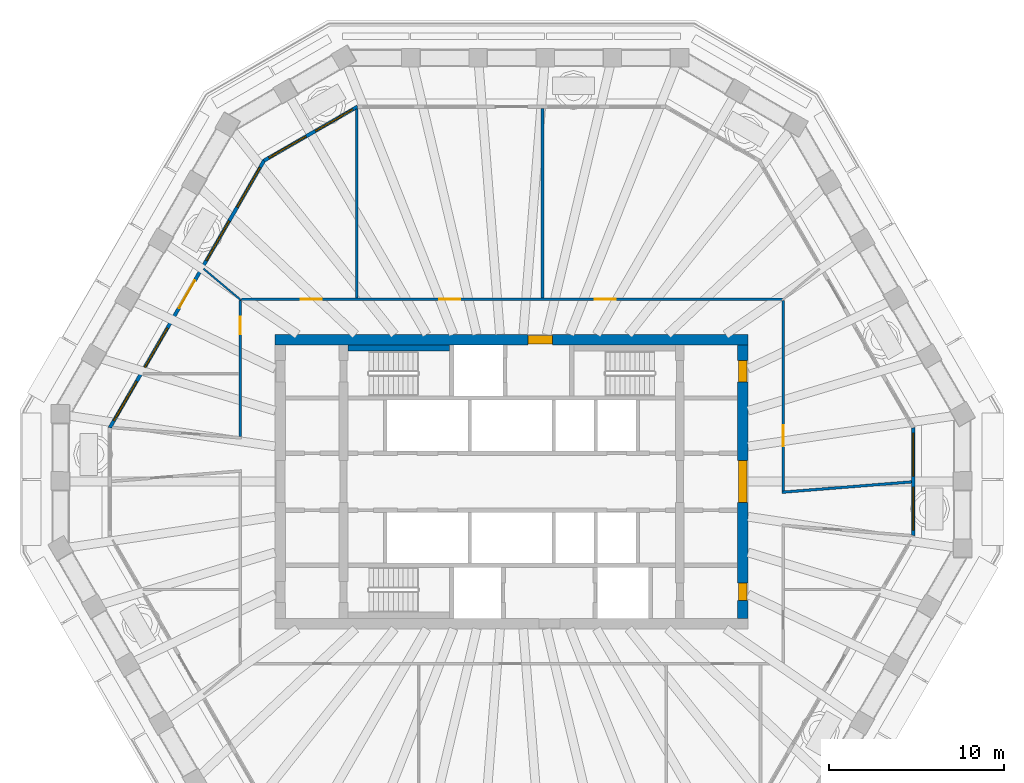
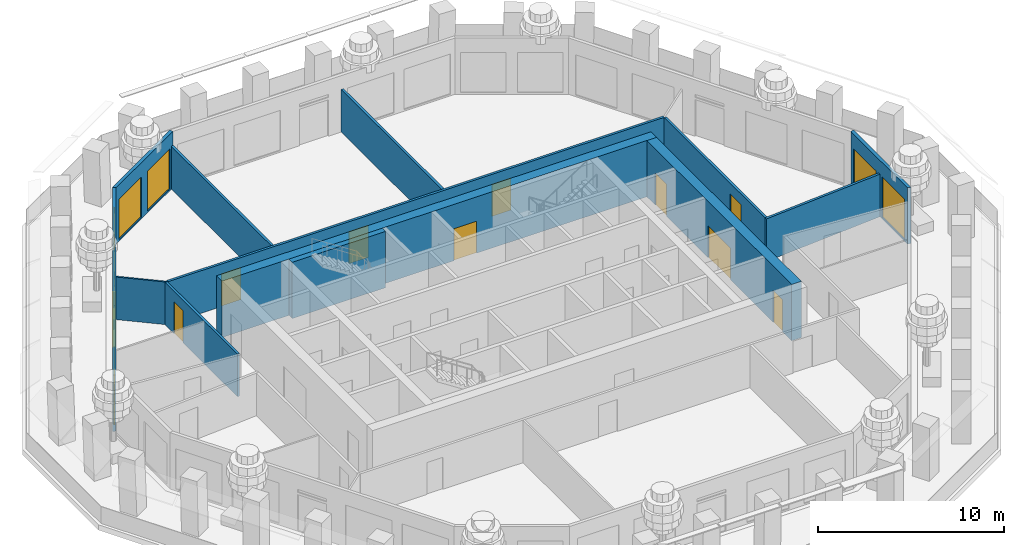
# One storey, part 6 of 12: 13 walls, 10 doors, 9 windows, 19 openings.
"""IFC4 building model written with IfcOpenShell, lengths in metres."""

from ifc_helpers import new_model, si_unit, direction, frame, frame_2d, origin, place, context, subcontext, project, spatial, polyline, rectangle, outline, extrude, material, layer, layer_set, type_object, element, fill, save


model = new_model("IFC4")

# Units and contexts
model_context = context("Model", 3, precision=1e-05, world=origin(), true_north=direction((0.0, 1.0)))
body_context = subcontext(model_context, "Body", "Model", "MODEL_VIEW")
ifc_project = project(units=[si_unit("LENGTHUNIT", "METRE"), si_unit("AREAUNIT", "SQUARE_METRE"), si_unit("VOLUMEUNIT", "CUBIC_METRE"), si_unit("PLANEANGLEUNIT", "RADIAN"), si_unit("MASSUNIT", "GRAM", prefix="KILO")], contexts=[model_context])

# Site, building, storey
site_placement = place(None, origin())
site = spatial("IfcSite", under=ifc_project, at=site_placement, CompositionType="ELEMENT")
building_placement = place(site_placement, origin())
building = spatial("IfcBuilding", under=site, at=building_placement, Name="Frailejon Research Tower", CompositionType="ELEMENT")
storey_placement = place(building_placement, frame((0.0, 0.0, 211.39990234375)))
storey = spatial("IfcBuildingStorey", under=building, at=storey_placement, Name="L45", CompositionType="ELEMENT", Elevation=211.39990234375)

# Wall, opening, door
ifc_material_1 = material(Name="Concrete C60/75", Category="concrete")
ifc_layer_1 = layer(ifc_material_1, 0.60009765625)
ifc_layer_set_1 = layer_set([ifc_layer_1], Name="Core shear wall 600 C60/75")
wall_type_1 = type_object("IfcWallType", Name="Core shear wall 600 C60/75", PredefinedType="SHEAR", material=ifc_layer_set_1)
wall_1_placement = place(storey_placement, frame((-13.5, 8.10009765625, 0.0), z_axis=(0.0, 0.0, 1.0), x_axis=(1.0, 0.0, 0.0)))
wall_1 = element("IfcWall", 1, at=wall_1_placement, inside=storey, type_object=wall_type_1, Name="Core shear wall", PredefinedType="SHEAR", context=body_context, shape_type="SweptSolid", body=[
    extrude(rectangle(XDim=27.0, YDim=0.60009765625, at=frame_2d((13.5, 0.0))), origin(), (0.0, 0.0, 1.0), 3.7001953125),
])
opening_1_placement = place(wall_1_placement, frame((14.425048828125, 0.0, 0.0)))
opening_1 = element("IfcOpeningElement", 2, at=opening_1_placement, cuts=wall_1, Name="Opening D9", PredefinedType="OPENING", context=body_context, shape_type="SweptSolid", body=[
    extrude(rectangle(XDim=1.39990234375, YDim=2.10009765625, at=frame_2d((0.699951171875, 1.050048828125))), frame((0.0, 0.31005859375, 0.0), z_axis=(0.0, -1.0, 0.0), x_axis=(1.0, 0.0, 0.0)), (0.0, 0.0, 1.0), 0.6201171875),
])
ifc_material_2 = material(Name="Steel", Category="steel")
door_type_1 = type_object("IfcDoorType", Name="Goods lobby door", OperationType="DOUBLE_DOOR_SINGLE_SWING", PredefinedType="DOOR", material=ifc_material_2)
door_1_placement = place(opening_1_placement, origin())
door_1 = element("IfcDoor", 3, at=door_1_placement, inside=storey, type_object=door_type_1, Name="Goods lobby door", OperationType="DOUBLE_DOOR_SINGLE_SWING", OverallHeight=2.10009765625, OverallWidth=1.39990234375, PredefinedType="DOOR", context=body_context, shape_type="SweptSolid", body=[
    extrude(rectangle(XDim=1.39990234375, YDim=2.10009765625, at=frame_2d((0.699951171875, 1.050048828125))), frame((0.0, 0.25, 0.0), z_axis=(0.0, -1.0, 0.0), x_axis=(1.0, 0.0, 0.0)), (0.0, 0.0, 1.0), 0.5),
])
fill(opening_1, door_1)

# Wall, openings, doors
wall_2_placement = place(storey_placement, frame((13.199951171875, -7.800048828125, 0.0), z_axis=(0.0, 0.0, 1.0), x_axis=(0.0, 1.0, 0.0)))
wall_2 = element("IfcWall", 4, at=wall_2_placement, inside=storey, type_object=wall_type_1, Name="Core shear wall", PredefinedType="SHEAR", context=body_context, shape_type="SweptSolid", body=[
    extrude(rectangle(XDim=15.60009765625, YDim=0.60009765625, at=frame_2d((7.800048828125, 0.0))), origin(), (0.0, 0.0, 1.0), 3.7001953125),
])
opening_2_placement = place(wall_2_placement, frame((6.60009765625, 0.0, 0.0)))
opening_2 = element("IfcOpeningElement", 5, at=opening_2_placement, cuts=wall_2, Name="Opening D2", PredefinedType="OPENING", context=body_context, shape_type="SweptSolid", body=[
    extrude(rectangle(XDim=2.39990234375, YDim=2.10009765625, at=frame_2d((1.199951171875, 1.050048828125))), frame((0.0, 0.31005859375, 0.0), z_axis=(0.0, -1.0, 0.0), x_axis=(1.0, 0.0, 0.0)), (0.0, 0.0, 1.0), 0.6201171875),
])
opening_3_placement = place(wall_2_placement, frame((13.5, 0.0, 0.0)))
opening_3 = element("IfcOpeningElement", 6, at=opening_3_placement, cuts=wall_2, Name="Opening D7", PredefinedType="OPENING", context=body_context, shape_type="SweptSolid", body=[
    extrude(rectangle(XDim=1.199951171875, YDim=2.10009765625, at=frame_2d((0.60009765625, 1.050048828125))), frame((0.0, 0.31005859375, 0.0), z_axis=(0.0, -1.0, 0.0), x_axis=(1.0, 0.0, 0.0)), (0.0, 0.0, 1.0), 0.6201171875),
])
opening_4_placement = place(wall_2_placement, frame((1.0, 0.0, 0.0)))
opening_4 = element("IfcOpeningElement", 7, at=opening_4_placement, cuts=wall_2, Name="Opening D4", PredefinedType="OPENING", context=body_context, shape_type="SweptSolid", body=[
    extrude(rectangle(XDim=1.0, YDim=2.10009765625, at=frame_2d((0.5, 1.050048828125))), frame((0.0, 0.31005859375, 0.0), z_axis=(0.0, -1.0, 0.0), x_axis=(1.0, 0.0, 0.0)), (0.0, 0.0, 1.0), 0.6201171875),
])
ifc_material_3 = material(Name="Steel", Category="steel")
door_type_2 = type_object("IfcDoorType", Name="Lobby double door", OperationType="DOUBLE_DOOR_SINGLE_SWING", PredefinedType="DOOR", material=ifc_material_3)
door_2_placement = place(opening_2_placement, origin())
door_2 = element("IfcDoor", 8, at=door_2_placement, inside=storey, type_object=door_type_2, Name="Lobby door", OperationType="DOUBLE_DOOR_SINGLE_SWING", OverallHeight=2.10009765625, OverallWidth=2.39990234375, PredefinedType="DOOR", context=body_context, shape_type="SweptSolid", body=[
    extrude(rectangle(XDim=2.39990234375, YDim=2.10009765625, at=frame_2d((1.199951171875, 1.050048828125))), frame((0.0, 0.25, 0.0), z_axis=(0.0, -1.0, 0.0), x_axis=(1.0, 0.0, 0.0)), (0.0, 0.0, 1.0), 0.5),
])
fill(opening_2, door_2)
ifc_material_4 = material(Name="Steel", Category="steel")
door_type_3 = type_object("IfcDoorType", Name="Service door", OperationType="SINGLE_SWING_LEFT", PredefinedType="DOOR", material=ifc_material_4)
door_3_placement = place(opening_4_placement, origin())
door_3 = element("IfcDoor", 9, at=door_3_placement, inside=storey, type_object=door_type_3, Name="Store door", OperationType="SINGLE_SWING_LEFT", OverallHeight=2.10009765625, OverallWidth=1.0, PredefinedType="DOOR", context=body_context, shape_type="SweptSolid", body=[
    extrude(rectangle(XDim=1.0, YDim=2.10009765625, at=frame_2d((0.5, 1.050048828125))), frame((0.0, 0.25, 0.0), z_axis=(0.0, -1.0, 0.0), x_axis=(1.0, 0.0, 0.0)), (0.0, 0.0, 1.0), 0.5),
])
fill(opening_4, door_3)
ifc_material_5 = material(Name="Steel", Category="steel")
door_type_4 = type_object("IfcDoorType", Name="Stair exit door", OperationType="SINGLE_SWING_LEFT", PredefinedType="DOOR", material=ifc_material_5)
door_4_placement = place(opening_3_placement, origin())
door_4 = element("IfcDoor", 10, at=door_4_placement, inside=storey, type_object=door_type_4, Name="Stair exit door ST3", OperationType="SINGLE_SWING_LEFT", OverallHeight=2.10009765625, OverallWidth=1.199951171875, PredefinedType="DOOR", context=body_context, shape_type="SweptSolid", body=[
    extrude(rectangle(XDim=1.199951171875, YDim=2.10009765625, at=frame_2d((0.60009765625, 1.050048828125))), frame((0.0, 0.25, 0.0), z_axis=(0.0, -1.0, 0.0), x_axis=(1.0, 0.0, 0.0)), (0.0, 0.0, 1.0), 0.5),
])
fill(opening_3, door_4)

# Wall, opening, door
ifc_material_6 = material(Name="Gypsum board and masonry partition", Category="masonry")
ifc_layer_2 = layer(ifc_material_6, 0.14990234375)
ifc_layer_set_2 = layer_set([ifc_layer_2], Name="Corridor wall EI 60, gypsum on steel studs 150")
wall_type_2 = type_object("IfcWallType", Name="Corridor wall EI 60, gypsum on steel studs 150", PredefinedType="PARTITIONING", material=ifc_layer_set_2)
wall_3_placement = place(storey_placement, frame((15.5, -0.526611328125, 0.0), z_axis=(0.0, 0.0, 1.0), x_axis=(0.0, 1.0, 0.0)))
wall_3 = element("IfcWall", 11, at=wall_3_placement, inside=storey, type_object=wall_type_2, Name="T:IW:L45:002", PredefinedType="PARTITIONING", context=body_context, shape_type="SweptSolid", body=[
    extrude(rectangle(XDim=10.8515625, YDim=0.14990234375, at=frame_2d((5.42578125, 0.0))), origin(), (0.0, 0.0, 1.0), 2.800048828125),
])
opening_5_placement = place(wall_3_placement, frame((2.55029296875, 0.0, 0.0)))
opening_5 = element("IfcOpeningElement", 12, at=opening_5_placement, cuts=wall_3, Name="Opening D1935", PredefinedType="OPENING", context=body_context, shape_type="SweptSolid", body=[
    extrude(rectangle(XDim=1.199951171875, YDim=2.10009765625, at=frame_2d((0.60009765625, 1.050048828125))), frame((0.0, 0.0849609375, 0.0), z_axis=(0.0, -1.0, 0.0), x_axis=(1.0, 0.0, 0.0)), (0.0, 0.0, 1.0), 0.169921875),
])
ifc_material_7 = material(Name="Timber door leaf", Category="wood")
door_type_5 = type_object("IfcDoorType", Name="Door single leaf, timber, steel frame 1200", OperationType="NOTDEFINED", PredefinedType="DOOR", material=ifc_material_7)
door_5_placement = place(opening_5_placement, origin())
door_5 = element("IfcDoor", 13, at=door_5_placement, inside=storey, type_object=door_type_5, Name="D1935", OperationType="DOUBLE_DOOR_SINGLE_SWING", OverallHeight=2.10009765625, OverallWidth=1.199951171875, PredefinedType="DOOR", context=body_context, shape_type="SweptSolid", body=[
    extrude(rectangle(XDim=1.199951171875, YDim=2.10009765625, at=frame_2d((0.60009765625, 1.050048828125))), frame((0.0, 0.02490234375, 0.0), z_axis=(0.0, -1.0, 0.0), x_axis=(1.0, 0.0, 0.0)), (0.0, 0.0, 1.0), 0.050048828125),
])
fill(opening_5, door_5)

# Wall, openings, doors
wall_4_placement = place(storey_placement, frame((-15.425048828125, 10.39990234375, 0.0), z_axis=(0.0, 0.0, 1.0), x_axis=(1.0, 0.0, 0.0)))
wall_4 = element("IfcWall", 14, at=wall_4_placement, inside=storey, type_object=wall_type_2, Name="T:IW:L45:003", PredefinedType="PARTITIONING", context=body_context, shape_type="SweptSolid", body=[
    extrude(rectangle(XDim=30.875, YDim=0.14990234375, at=frame_2d((15.4375, 0.0))), origin(), (0.0, 0.0, 1.0), 2.800048828125),
])
opening_6_placement = place(wall_4_placement, frame((20.175537109375, 0.0, 0.0)))
opening_6 = element("IfcOpeningElement", 15, at=opening_6_placement, cuts=wall_4, Name="Opening D1936", PredefinedType="OPENING", context=body_context, shape_type="SweptSolid", body=[
    extrude(rectangle(XDim=1.199951171875, YDim=2.10009765625, at=frame_2d((0.60009765625, 1.050048828125))), frame((0.0, 0.0849609375, 0.0), z_axis=(0.0, -1.0, 0.0), x_axis=(1.0, 0.0, 0.0)), (0.0, 0.0, 1.0), 0.169921875),
])
opening_7_placement = place(wall_4_placement, frame((11.293212890625, 0.0, 0.0)))
opening_7 = element("IfcOpeningElement", 16, at=opening_7_placement, cuts=wall_4, Name="Opening D1937", PredefinedType="OPENING", context=body_context, shape_type="SweptSolid", body=[
    extrude(rectangle(XDim=1.199951171875, YDim=2.10009765625, at=frame_2d((0.60009765625, 1.050048828125))), frame((0.0, 0.0849609375, 0.0), z_axis=(0.0, -1.0, 0.0), x_axis=(1.0, 0.0, 0.0)), (0.0, 0.0, 1.0), 0.169921875),
])
opening_8_placement = place(wall_4_placement, frame((3.375732421875, 0.0, 0.0)))
opening_8 = element("IfcOpeningElement", 17, at=opening_8_placement, cuts=wall_4, Name="Opening D1938", PredefinedType="OPENING", context=body_context, shape_type="SweptSolid", body=[
    extrude(rectangle(XDim=1.199951171875, YDim=2.10009765625, at=frame_2d((0.60009765625, 1.050048828125))), frame((0.0, 0.0849609375, 0.0), z_axis=(0.0, -1.0, 0.0), x_axis=(1.0, 0.0, 0.0)), (0.0, 0.0, 1.0), 0.169921875),
])
ifc_material_8 = material(Name="Timber door leaf", Category="wood")
door_type_6 = type_object("IfcDoorType", Name="Door laboratory, timber, vision panel 1200", OperationType="NOTDEFINED", PredefinedType="DOOR", material=ifc_material_8)
door_6_placement = place(opening_7_placement, origin())
door_6 = element("IfcDoor", 18, at=door_6_placement, inside=storey, type_object=door_type_6, Name="D1937", OperationType="DOUBLE_DOOR_SINGLE_SWING", OverallHeight=2.10009765625, OverallWidth=1.199951171875, PredefinedType="DOOR", context=body_context, shape_type="SweptSolid", body=[
    extrude(rectangle(XDim=1.199951171875, YDim=2.10009765625, at=frame_2d((0.60009765625, 1.050048828125))), frame((0.0, 0.02490234375, 0.0), z_axis=(0.0, -1.0, 0.0), x_axis=(1.0, 0.0, 0.0)), (0.0, 0.0, 1.0), 0.050048828125),
])
fill(opening_7, door_6)
door_7_placement = place(opening_6_placement, origin())
door_7 = element("IfcDoor", 19, at=door_7_placement, inside=storey, type_object=door_type_5, Name="D1936", OperationType="DOUBLE_DOOR_SINGLE_SWING", OverallHeight=2.10009765625, OverallWidth=1.199951171875, PredefinedType="DOOR", context=body_context, shape_type="SweptSolid", body=[
    extrude(rectangle(XDim=1.199951171875, YDim=2.10009765625, at=frame_2d((0.60009765625, 1.050048828125))), frame((0.0, 0.02490234375, 0.0), z_axis=(0.0, -1.0, 0.0), x_axis=(1.0, 0.0, 0.0)), (0.0, 0.0, 1.0), 0.050048828125),
])
fill(opening_6, door_7)
door_8_placement = place(opening_8_placement, origin())
door_8 = element("IfcDoor", 20, at=door_8_placement, inside=storey, type_object=door_type_5, Name="D1938", OperationType="DOUBLE_DOOR_SINGLE_SWING", OverallHeight=2.10009765625, OverallWidth=1.199951171875, PredefinedType="DOOR", context=body_context, shape_type="SweptSolid", body=[
    extrude(rectangle(XDim=1.199951171875, YDim=2.10009765625, at=frame_2d((0.60009765625, 1.050048828125))), frame((0.0, 0.02490234375, 0.0), z_axis=(0.0, -1.0, 0.0), x_axis=(1.0, 0.0, 0.0)), (0.0, 0.0, 1.0), 0.050048828125),
])
fill(opening_8, door_8)

# Wall, opening, door
wall_5_placement = place(storey_placement, frame((-15.5, 2.57666015625, 0.0), z_axis=(0.0, 0.0, 1.0), x_axis=(0.0, 1.0, 0.0)))
wall_5 = element("IfcWall", 21, at=wall_5_placement, inside=storey, type_object=wall_type_2, Name="T:IW:L45:005", PredefinedType="PARTITIONING", context=body_context, shape_type="SweptSolid", body=[
    extrude(rectangle(XDim=7.7734375, YDim=0.14990234375, at=frame_2d((3.88671875, 0.0))), origin(), (0.0, 0.0, 1.0), 2.800048828125),
])
opening_9_placement = place(wall_5_placement, frame((5.8388671875, 0.0, 0.0)))
opening_9 = element("IfcOpeningElement", 22, at=opening_9_placement, cuts=wall_5, Name="Opening D1939", PredefinedType="OPENING", context=body_context, shape_type="SweptSolid", body=[
    extrude(rectangle(XDim=1.0, YDim=2.10009765625, at=frame_2d((0.5, 1.050048828125))), frame((0.0, 0.0849609375, 0.0), z_axis=(0.0, -1.0, 0.0), x_axis=(1.0, 0.0, 0.0)), (0.0, 0.0, 1.0), 0.169921875),
])
ifc_material_9 = material(Name="Timber door leaf", Category="wood")
door_type_7 = type_object("IfcDoorType", Name="Door single leaf, timber, steel frame 1000", OperationType="NOTDEFINED", PredefinedType="DOOR", material=ifc_material_9)
door_9_placement = place(opening_9_placement, origin())
door_9 = element("IfcDoor", 23, at=door_9_placement, inside=storey, type_object=door_type_7, Name="D1939", OperationType="SINGLE_SWING_RIGHT", OverallHeight=2.10009765625, OverallWidth=1.0, PredefinedType="DOOR", context=body_context, shape_type="SweptSolid", body=[
    extrude(rectangle(XDim=1.0, YDim=2.10009765625, at=frame_2d((0.5, 1.050048828125))), frame((0.0, 0.02490234375, 0.0), z_axis=(0.0, -1.0, 0.0), x_axis=(1.0, 0.0, 0.0)), (0.0, 0.0, 1.0), 0.050048828125),
])
fill(opening_9, door_9)

# Walls
wall_6_placement = place(storey_placement, frame((15.42529296875, -0.607666015625, 0.0), z_axis=(0.0, 0.0, 1.0), x_axis=(0.996827903335, 0.079587254837, 0.0)))
element("IfcWall", 24, at=wall_6_placement, inside=storey, type_object=wall_type_2, Name="T:IW:L45:009", PredefinedType="PARTITIONING", context=body_context, shape_type="SweptSolid", body=[
    extrude(rectangle(XDim=7.432861328125, YDim=0.14990234375, at=frame_2d((3.71630859375, 0.0))), origin(), (0.0, 0.0, 1.0), 2.800048828125),
])
ifc_material_10 = material(Name="Gypsum board and masonry partition", Category="masonry")
ifc_layer_3 = layer(ifc_material_10, 0.14990234375)
ifc_layer_set_3 = layer_set([ifc_layer_3], Name="Laboratory partition, blockwork 150")
wall_type_3 = type_object("IfcWallType", Name="Laboratory partition, blockwork 150", PredefinedType="PARTITIONING", material=ifc_layer_set_3)
wall_7_placement = place(storey_placement, frame((1.765869140625, 10.47509765625, 0.0), z_axis=(0.0, 0.0, 1.0), x_axis=(0.0, 1.0, 0.0)))
element("IfcWall", 25, at=wall_7_placement, inside=storey, type_object=wall_type_3, Name="T:IW:L45:011", PredefinedType="PARTITIONING", context=body_context, shape_type="SweptSolid", body=[
    extrude(rectangle(XDim=10.824951171875, YDim=0.14990234375, at=frame_2d((5.41259765625, 0.0))), origin(), (0.0, 0.0, 1.0), 2.800048828125),
])
wall_8_placement = place(storey_placement, frame((-8.82958984375, 10.47509765625, 0.0), z_axis=(0.0, 0.0, 1.0), x_axis=(0.0, 1.0, 0.0)))
element("IfcWall", 26, at=wall_8_placement, inside=storey, type_object=wall_type_3, Name="T:IW:L45:012", PredefinedType="PARTITIONING", context=body_context, shape_type="SweptSolid", body=[
    extrude(rectangle(XDim=10.7939453125, YDim=0.14990234375, at=frame_2d((5.39697265625, 0.0))), origin(), (0.0, 0.0, 1.0), 2.800048828125),
])
ifc_material_11 = material(Name="Gypsum board and masonry partition", Category="masonry")
ifc_layer_4 = layer(ifc_material_11, 0.10009765625)
ifc_layer_set_4 = layer_set([ifc_layer_4], Name="Partition, gypsum on steel studs 100")
wall_type_4 = type_object("IfcWallType", Name="Partition, gypsum on steel studs 100", PredefinedType="PARTITIONING", material=ifc_layer_set_4)
wall_9_placement = place(storey_placement, frame((-17.5810546875, 12.148681640625, 0.0), z_axis=(0.0, 0.0, 1.0), x_axis=(0.765599818327, -0.643317121005, 0.0)))
element("IfcWall", 27, at=wall_9_placement, inside=storey, type_object=wall_type_4, Name="T:IW:L45:016", PredefinedType="PARTITIONING", context=body_context, shape_type="SweptSolid", body=[
    extrude(rectangle(XDim=2.793212890625, YDim=0.10009765625, at=frame_2d((1.396484375, 0.0))), origin(), (0.0, 0.0, 1.0), 2.800048828125),
])
ifc_material_12 = material(Name="Concrete C60/75", Category="concrete")
ifc_layer_5 = layer(ifc_material_12, 0.35009765625)
ifc_layer_set_5 = layer_set([ifc_layer_5], Name="Shaft wall 350 C60/75")
wall_type_5 = type_object("IfcWallType", Name="Shaft wall 350 C60/75", PredefinedType="SOLIDWALL", material=ifc_layer_set_5)
wall_10_placement = place(storey_placement, frame((-9.35009765625, 7.625, 0.0), z_axis=(0.0, 0.0, 1.0), x_axis=(1.0, 0.0, 0.0)))
element("IfcWall", 28, at=wall_10_placement, inside=storey, type_object=wall_type_5, Name="Shaft wall", PredefinedType="SOLIDWALL", context=body_context, shape_type="SweptSolid", body=[
    extrude(rectangle(XDim=5.800048828125, YDim=0.35009765625, at=frame_2d((2.89990234375, 0.0))), origin(), (0.0, 0.0, 1.0), 3.7001953125),
])

# Wall, openings, windows
ifc_material_13 = material(Name="Concrete C40/50 precast window wall panel", Category="concrete")
ifc_layer_6 = layer(ifc_material_13, 0.199951171875)
ifc_layer_set_6 = layer_set([ifc_layer_6], Name="Window wall 200")
wall_type_6 = type_object("IfcWallType", Name="Window wall 200", PredefinedType="SOLIDWALL", material=ifc_layer_set_6)
wall_11_placement = place(storey_placement, frame((22.934326171875, -3.076416015625, 0.0), z_axis=(0.0, 0.0, 1.0), x_axis=(0.0, 1.0, 0.0)))
wall_11 = element("IfcWall", 29, at=wall_11_placement, inside=storey, type_object=wall_type_6, Name="Exterior wall L45", PredefinedType="SOLIDWALL", context=body_context, shape_type="SweptSolid", body=[
    extrude(outline(polyline([(-0.02685546875, -0.10009765625), (1.007568359375, -0.10009765625), (2.0419921875, -0.10009765625), (3.076416015625, -0.10009765625), (4.11083984375, -0.10009765625), (5.145263671875, -0.10009765625), (6.1796875, -0.10009765625), (6.1259765625, 0.10009765625), (5.109375, 0.10009765625), (4.093017578125, 0.10009765625), (3.076416015625, 0.10009765625), (2.059814453125, 0.10009765625), (1.04345703125, 0.10009765625), (0.02685546875, 0.10009765625), (-0.02685546875, -0.10009765625)])), origin(), (0.0, 0.0, 1.0), 3.7001953125),
])
opening_10_placement = place(wall_11_placement, frame((0.313232421875, 0.0, 0.10009765625)))
opening_10 = element("IfcOpeningElement", 30, at=opening_10_placement, cuts=wall_11, Name="Opening W17", PredefinedType="OPENING", context=body_context, shape_type="SweptSolid", body=[
    extrude(rectangle(XDim=2.449951171875, YDim=2.64990234375, at=frame_2d((1.22509765625, 1.324951171875))), frame((0.0, 0.10986328125, 0.0), z_axis=(0.0, -1.0, 0.0), x_axis=(1.0, 0.0, 0.0)), (0.0, 0.0, 1.0), 0.219970703125),
])
opening_11_placement = place(wall_11_placement, frame((3.3896484375, 0.0, 0.10009765625)))
opening_11 = element("IfcOpeningElement", 31, at=opening_11_placement, cuts=wall_11, Name="Opening W17", PredefinedType="OPENING", context=body_context, shape_type="SweptSolid", body=[
    extrude(rectangle(XDim=2.449951171875, YDim=2.64990234375, at=frame_2d((1.22509765625, 1.324951171875))), frame((0.0, 0.10986328125, 0.0), z_axis=(0.0, -1.0, 0.0), x_axis=(1.0, 0.0, 0.0)), (0.0, 0.0, 1.0), 0.219970703125),
])
ifc_material_14 = material(Name="Aluminium framed double glazing", Category="aluminium")
window_type_1 = type_object("IfcWindowType", Name="Window 2450x2650", PartitioningType="SINGLE_PANEL", PredefinedType="WINDOW", material=ifc_material_14)
window_1_placement = place(opening_10_placement, origin())
window_1 = element("IfcWindow", 32, at=window_1_placement, inside=storey, type_object=window_type_1, Name="Window L45", OverallHeight=2.64990234375, OverallWidth=2.449951171875, PartitioningType="SINGLE_PANEL", PredefinedType="WINDOW", context=body_context, shape_type="SweptSolid", body=[
    extrude(rectangle(XDim=2.449951171875, YDim=2.64990234375, at=frame_2d((1.22509765625, 1.324951171875))), frame((0.0, 0.030029296875, 0.0), z_axis=(0.0, -1.0, 0.0), x_axis=(1.0, 0.0, 0.0)), (0.0, 0.0, 1.0), 0.06005859375),
])
fill(opening_10, window_1)
window_2_placement = place(opening_11_placement, origin())
window_2 = element("IfcWindow", 33, at=window_2_placement, inside=storey, type_object=window_type_1, Name="Window L45", OverallHeight=2.64990234375, OverallWidth=2.449951171875, PartitioningType="SINGLE_PANEL", PredefinedType="WINDOW", context=body_context, shape_type="SweptSolid", body=[
    extrude(rectangle(XDim=2.449951171875, YDim=2.64990234375, at=frame_2d((1.22509765625, 1.324951171875))), frame((0.0, 0.030029296875, 0.0), z_axis=(0.0, -1.0, 0.0), x_axis=(1.0, 0.0, 0.0)), (0.0, 0.0, 1.0), 0.06005859375),
])
fill(opening_11, window_2)

wall_12_placement = place(storey_placement, frame((-8.802978515625, 21.39990234375, 0.0), z_axis=(0.0, 0.0, 1.0), x_axis=(-0.866029647142, -0.499992650217, 0.0)))
wall_12 = element("IfcWall", 34, at=wall_12_placement, inside=storey, type_object=wall_type_6, Name="Exterior wall L45", PredefinedType="SOLIDWALL", context=body_context, shape_type="SweptSolid", body=[
    extrude(outline(polyline([(-0.02685546875, -0.10009765625), (1.007568359375, -0.10009765625), (2.0419921875, -0.10009765625), (3.076416015625, -0.10009765625), (4.11083984375, -0.10009765625), (5.145263671875, -0.10009765625), (6.1796875, -0.10009765625), (6.1259765625, 0.10009765625), (5.109375, 0.10009765625), (4.093017578125, 0.10009765625), (3.076416015625, 0.10009765625), (2.059814453125, 0.10009765625), (1.04345703125, 0.10009765625), (0.02685546875, 0.10009765625), (-0.02685546875, -0.10009765625)])), origin(), (0.0, 0.0, 1.0), 3.7001953125),
])
opening_12_placement = place(wall_12_placement, frame((0.313232421875, 0.0, 0.10009765625)))
opening_12 = element("IfcOpeningElement", 35, at=opening_12_placement, cuts=wall_12, Name="Opening W17", PredefinedType="OPENING", context=body_context, shape_type="SweptSolid", body=[
    extrude(rectangle(XDim=2.449951171875, YDim=2.64990234375, at=frame_2d((1.22509765625, 1.324951171875))), frame((0.0, 0.10986328125, 0.0), z_axis=(0.0, -1.0, 0.0), x_axis=(1.0, 0.0, 0.0)), (0.0, 0.0, 1.0), 0.219970703125),
])
opening_13_placement = place(wall_12_placement, frame((3.3896484375, 0.0, 0.10009765625)))
opening_13 = element("IfcOpeningElement", 36, at=opening_13_placement, cuts=wall_12, Name="Opening W17", PredefinedType="OPENING", context=body_context, shape_type="SweptSolid", body=[
    extrude(rectangle(XDim=2.449951171875, YDim=2.64990234375, at=frame_2d((1.22509765625, 1.324951171875))), frame((0.0, 0.10986328125, 0.0), z_axis=(0.0, -1.0, 0.0), x_axis=(1.0, 0.0, 0.0)), (0.0, 0.0, 1.0), 0.219970703125),
])
window_3_placement = place(opening_12_placement, origin())
window_3 = element("IfcWindow", 37, at=window_3_placement, inside=storey, type_object=window_type_1, Name="Window L45", OverallHeight=2.64990234375, OverallWidth=2.449951171875, PartitioningType="SINGLE_PANEL", PredefinedType="WINDOW", context=body_context, shape_type="SweptSolid", body=[
    extrude(rectangle(XDim=2.449951171875, YDim=2.64990234375, at=frame_2d((1.22509765625, 1.324951171875))), frame((0.0, 0.030029296875, 0.0), z_axis=(0.0, -1.0, 0.0), x_axis=(1.0, 0.0, 0.0)), (0.0, 0.0, 1.0), 0.06005859375),
])
fill(opening_12, window_3)
window_4_placement = place(opening_13_placement, origin())
window_4 = element("IfcWindow", 38, at=window_4_placement, inside=storey, type_object=window_type_1, Name="Window L45", OverallHeight=2.64990234375, OverallWidth=2.449951171875, PartitioningType="SINGLE_PANEL", PredefinedType="WINDOW", context=body_context, shape_type="SweptSolid", body=[
    extrude(rectangle(XDim=2.449951171875, YDim=2.64990234375, at=frame_2d((1.22509765625, 1.324951171875))), frame((0.0, 0.030029296875, 0.0), z_axis=(0.0, -1.0, 0.0), x_axis=(1.0, 0.0, 0.0)), (0.0, 0.0, 1.0), 0.06005859375),
])
fill(opening_13, window_4)

# Wall, openings, door, windows
wall_13_placement = place(storey_placement, frame((-14.131591796875, 18.323486328125, 0.0), z_axis=(0.0, 0.0, 1.0), x_axis=(-0.499992938033, -0.866029480975, 0.0)))
wall_13 = element("IfcWall", 39, at=wall_13_placement, inside=storey, type_object=wall_type_6, Name="Exterior wall L45", PredefinedType="SOLIDWALL", context=body_context, shape_type="SweptSolid", body=[
    extrude(outline(polyline([(-0.02685546875, -0.10009765625), (1.011962890625, -0.10009765625), (2.05078125, -0.10009765625), (3.089599609375, -0.10009765625), (4.12841796875, -0.10009765625), (5.1669921875, -0.10009765625), (6.205810546875, -0.10009765625), (7.24462890625, -0.10009765625), (8.283447265625, -0.10009765625), (9.322265625, -0.10009765625), (10.361083984375, -0.10009765625), (11.39990234375, -0.10009765625), (12.438720703125, -0.10009765625), (13.477294921875, -0.10009765625), (14.51611328125, -0.10009765625), (15.554931640625, -0.10009765625), (16.59375, -0.10009765625), (17.632568359375, -0.10009765625), (17.578857421875, 0.10009765625), (16.54638671875, 0.10009765625), (15.513916015625, 0.10009765625), (14.4814453125, 0.10009765625), (13.448974609375, 0.10009765625), (12.41650390625, 0.10009765625), (11.384033203125, 0.10009765625), (10.3515625, 0.10009765625), (9.319091796875, 0.10009765625), (8.28662109375, 0.10009765625), (7.254150390625, 0.10009765625), (6.2216796875, 0.10009765625), (5.189208984375, 0.10009765625), (4.15673828125, 0.10009765625), (3.124267578125, 0.10009765625), (2.091796875, 0.10009765625), (1.059326171875, 0.10009765625), (0.02685546875, 0.10009765625), (-0.02685546875, -0.10009765625)])), origin(), (0.0, 0.0, 1.0), 3.7001953125),
])
opening_14_placement = place(wall_13_placement, frame((0.460693359375, 0.0, 0.10009765625)))
opening_14 = element("IfcOpeningElement", 40, at=opening_14_placement, cuts=wall_13, Name="Opening W18", PredefinedType="OPENING", context=body_context, shape_type="SweptSolid", body=[
    extrude(rectangle(XDim=2.60009765625, YDim=2.64990234375, at=frame_2d((1.300048828125, 1.324951171875))), frame((0.0, 0.10986328125, 0.0), z_axis=(0.0, -1.0, 0.0), x_axis=(1.0, 0.0, 0.0)), (0.0, 0.0, 1.0), 0.219970703125),
])
opening_15_placement = place(wall_13_placement, frame((3.981689453125, 0.0, 0.10009765625)))
opening_15 = element("IfcOpeningElement", 41, at=opening_15_placement, cuts=wall_13, Name="Opening W18", PredefinedType="OPENING", context=body_context, shape_type="SweptSolid", body=[
    extrude(rectangle(XDim=2.60009765625, YDim=2.64990234375, at=frame_2d((1.300048828125, 1.324951171875))), frame((0.0, 0.10986328125, 0.0), z_axis=(0.0, -1.0, 0.0), x_axis=(1.0, 0.0, 0.0)), (0.0, 0.0, 1.0), 0.219970703125),
])
opening_16_placement = place(wall_13_placement, frame((7.90283203125, 0.0, 0.0)))
opening_16 = element("IfcOpeningElement", 42, at=opening_16_placement, cuts=wall_13, Name="Opening LG45-3", PredefinedType="OPENING", context=body_context, shape_type="SweptSolid", body=[
    extrude(rectangle(XDim=1.800048828125, YDim=2.39990234375, at=frame_2d((0.89990234375, 1.199951171875))), frame((0.0, 0.10986328125, 0.0), z_axis=(0.0, -1.0, 0.0), x_axis=(1.0, 0.0, 0.0)), (0.0, 0.0, 1.0), 0.219970703125),
])
opening_17_placement = place(wall_13_placement, frame((7.90283203125, 0.0, 2.550048828125)))
opening_17 = element("IfcOpeningElement", 43, at=opening_17_placement, cuts=wall_13, Name="Opening W19", PredefinedType="OPENING", context=body_context, shape_type="SweptSolid", body=[
    extrude(rectangle(XDim=1.800048828125, YDim=0.199951171875, at=frame_2d((0.89990234375, 0.10009765625))), frame((0.0, 0.10986328125, 0.0), z_axis=(0.0, -1.0, 0.0), x_axis=(1.0, 0.0, 0.0)), (0.0, 0.0, 1.0), 0.219970703125),
])
opening_18_placement = place(wall_13_placement, frame((11.024169921875, 0.0, 0.10009765625)))
opening_18 = element("IfcOpeningElement", 44, at=opening_18_placement, cuts=wall_13, Name="Opening W18", PredefinedType="OPENING", context=body_context, shape_type="SweptSolid", body=[
    extrude(rectangle(XDim=2.60009765625, YDim=2.64990234375, at=frame_2d((1.300048828125, 1.324951171875))), frame((0.0, 0.10986328125, 0.0), z_axis=(0.0, -1.0, 0.0), x_axis=(1.0, 0.0, 0.0)), (0.0, 0.0, 1.0), 0.219970703125),
])
opening_19_placement = place(wall_13_placement, frame((14.545166015625, 0.0, 0.10009765625)))
opening_19 = element("IfcOpeningElement", 45, at=opening_19_placement, cuts=wall_13, Name="Opening W18", PredefinedType="OPENING", context=body_context, shape_type="SweptSolid", body=[
    extrude(rectangle(XDim=2.60009765625, YDim=2.64990234375, at=frame_2d((1.300048828125, 1.324951171875))), frame((0.0, 0.10986328125, 0.0), z_axis=(0.0, -1.0, 0.0), x_axis=(1.0, 0.0, 0.0)), (0.0, 0.0, 1.0), 0.219970703125),
])
ifc_material_15 = material(Name="Aluminium framed glazed door leaf", Category="aluminium")
door_type_8 = type_object("IfcDoorType", Name="Loggia door 1800x2400", OperationType="DOUBLE_DOOR_SINGLE_SWING", PredefinedType="DOOR", material=ifc_material_15)
door_10_placement = place(opening_16_placement, origin())
door_10 = element("IfcDoor", 46, at=door_10_placement, inside=storey, type_object=door_type_8, Name="Door LG45-3", OperationType="DOUBLE_DOOR_SINGLE_SWING", OverallHeight=2.39990234375, OverallWidth=1.800048828125, PredefinedType="DOOR", context=body_context, shape_type="SweptSolid", body=[
    extrude(rectangle(XDim=1.800048828125, YDim=2.39990234375, at=frame_2d((0.89990234375, 1.199951171875))), frame((0.0, 0.02490234375, 0.0), z_axis=(0.0, -1.0, 0.0), x_axis=(1.0, 0.0, 0.0)), (0.0, 0.0, 1.0), 0.050048828125),
])
fill(opening_16, door_10)
ifc_material_16 = material(Name="Aluminium framed double glazing", Category="aluminium")
window_type_2 = type_object("IfcWindowType", Name="Window 1800x200", PartitioningType="SINGLE_PANEL", PredefinedType="WINDOW", material=ifc_material_16)
window_5_placement = place(opening_17_placement, origin())
window_5 = element("IfcWindow", 47, at=window_5_placement, inside=storey, type_object=window_type_2, Name="Window L45", OverallHeight=0.199951171875, OverallWidth=1.800048828125, PartitioningType="SINGLE_PANEL", PredefinedType="WINDOW", context=body_context, shape_type="SweptSolid", body=[
    extrude(rectangle(XDim=1.800048828125, YDim=0.199951171875, at=frame_2d((0.89990234375, 0.10009765625))), frame((0.0, 0.030029296875, 0.0), z_axis=(0.0, -1.0, 0.0), x_axis=(1.0, 0.0, 0.0)), (0.0, 0.0, 1.0), 0.06005859375),
])
fill(opening_17, window_5)
ifc_material_17 = material(Name="Aluminium framed double glazing", Category="aluminium")
window_type_3 = type_object("IfcWindowType", Name="Window 2600x2650", PartitioningType="SINGLE_PANEL", PredefinedType="WINDOW", material=ifc_material_17)
window_6_placement = place(opening_14_placement, origin())
window_6 = element("IfcWindow", 48, at=window_6_placement, inside=storey, type_object=window_type_3, Name="Window L45", OverallHeight=2.64990234375, OverallWidth=2.60009765625, PartitioningType="SINGLE_PANEL", PredefinedType="WINDOW", context=body_context, shape_type="SweptSolid", body=[
    extrude(rectangle(XDim=2.60009765625, YDim=2.64990234375, at=frame_2d((1.300048828125, 1.324951171875))), frame((0.0, 0.030029296875, 0.0), z_axis=(0.0, -1.0, 0.0), x_axis=(1.0, 0.0, 0.0)), (0.0, 0.0, 1.0), 0.06005859375),
])
fill(opening_14, window_6)
window_7_placement = place(opening_15_placement, origin())
window_7 = element("IfcWindow", 49, at=window_7_placement, inside=storey, type_object=window_type_3, Name="Window L45", OverallHeight=2.64990234375, OverallWidth=2.60009765625, PartitioningType="SINGLE_PANEL", PredefinedType="WINDOW", context=body_context, shape_type="SweptSolid", body=[
    extrude(rectangle(XDim=2.60009765625, YDim=2.64990234375, at=frame_2d((1.300048828125, 1.324951171875))), frame((0.0, 0.030029296875, 0.0), z_axis=(0.0, -1.0, 0.0), x_axis=(1.0, 0.0, 0.0)), (0.0, 0.0, 1.0), 0.06005859375),
])
fill(opening_15, window_7)
window_8_placement = place(opening_18_placement, origin())
window_8 = element("IfcWindow", 50, at=window_8_placement, inside=storey, type_object=window_type_3, Name="Window L45", OverallHeight=2.64990234375, OverallWidth=2.60009765625, PartitioningType="SINGLE_PANEL", PredefinedType="WINDOW", context=body_context, shape_type="SweptSolid", body=[
    extrude(rectangle(XDim=2.60009765625, YDim=2.64990234375, at=frame_2d((1.300048828125, 1.324951171875))), frame((0.0, 0.030029296875, 0.0), z_axis=(0.0, -1.0, 0.0), x_axis=(1.0, 0.0, 0.0)), (0.0, 0.0, 1.0), 0.06005859375),
])
fill(opening_18, window_8)
window_9_placement = place(opening_19_placement, origin())
window_9 = element("IfcWindow", 51, at=window_9_placement, inside=storey, type_object=window_type_3, Name="Window L45", OverallHeight=2.64990234375, OverallWidth=2.60009765625, PartitioningType="SINGLE_PANEL", PredefinedType="WINDOW", context=body_context, shape_type="SweptSolid", body=[
    extrude(rectangle(XDim=2.60009765625, YDim=2.64990234375, at=frame_2d((1.300048828125, 1.324951171875))), frame((0.0, 0.030029296875, 0.0), z_axis=(0.0, -1.0, 0.0), x_axis=(1.0, 0.0, 0.0)), (0.0, 0.0, 1.0), 0.06005859375),
])
fill(opening_19, window_9)

save(model, "model.ifc")
